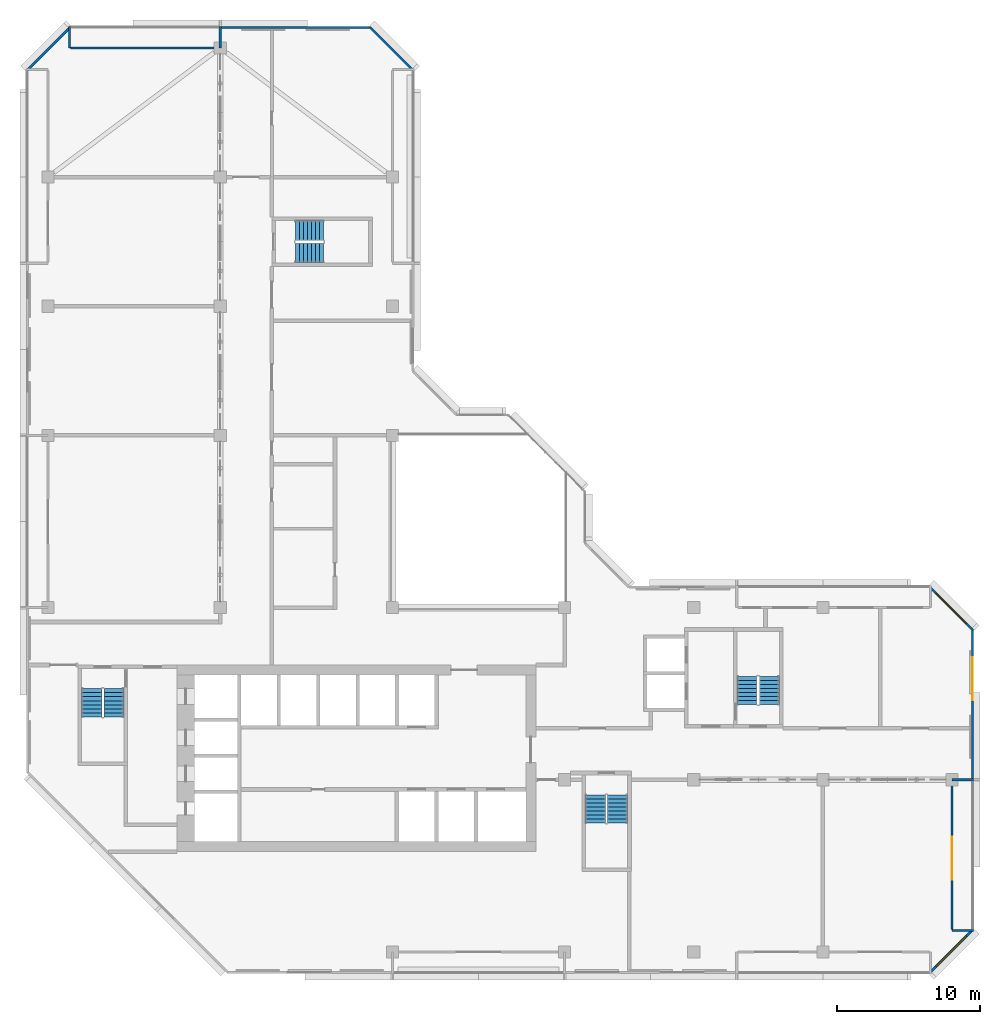
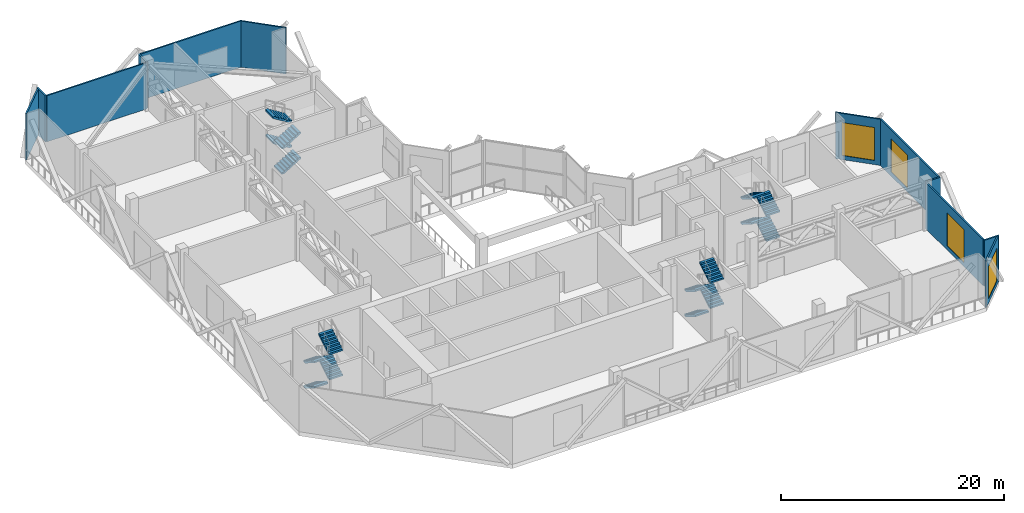
# One storey, part 10 of 14: 16 stair flights, 12 walls, 4 windows, 4 openings, 4 elements without a shape of their own.
"""IFC4 building model written with IfcOpenShell, lengths in metres."""

from ifc_helpers import new_model, si_unit, direction, frame, frame_2d, origin, place, context, subcontext, project, spatial, polyline, rectangle, outline, extrude, material, layer, layer_set, type_object, element, fill, aggregate, save


model = new_model("IFC4")

# Units and contexts
model_context = context("Model", 3, precision=1e-05, world=origin(), true_north=direction((0.0, 1.0)))
body_context = subcontext(model_context, "Body", "Model", "MODEL_VIEW")
ifc_project = project(units=[si_unit("LENGTHUNIT", "METRE"), si_unit("AREAUNIT", "SQUARE_METRE"), si_unit("VOLUMEUNIT", "CUBIC_METRE"), si_unit("PLANEANGLEUNIT", "RADIAN"), si_unit("MASSUNIT", "GRAM", prefix="KILO")], contexts=[model_context])

# Site, building, storey
site_placement = place(None, origin())
site = spatial("IfcSite", under=ifc_project, at=site_placement, CompositionType="ELEMENT")
building_placement = place(site_placement, origin())
building = spatial("IfcBuilding", under=site, at=building_placement, Name="Chenar Terraces", CompositionType="ELEMENT")
storey_placement = place(building_placement, frame((0.0, 0.0, 256.64990234375)))
storey = spatial("IfcBuildingStorey", under=building, at=storey_placement, Name="L61", CompositionType="ELEMENT", Elevation=256.64990234375)

# Wall
ifc_material_1 = material(Name="Aluminium framed glazing", Category="aluminium")
ifc_layer_1 = layer(ifc_material_1, 0.14990234375)
ifc_layer_set_1 = layer_set([ifc_layer_1], Name="Aluminium framed glazing")
wall_type_1 = type_object("IfcWallType", Name="Glazed flush facade wall 150", PredefinedType="SOLIDWALL", material=ifc_layer_set_1)
wall_1_placement = place(storey_placement, frame((22.5, 64.425048828125, 0.0), z_axis=(0.0, 0.0, 1.0), x_axis=(-1.0, 0.0, 0.0)))
element("IfcWall", 1, at=wall_1_placement, inside=storey, type_object=wall_type_1, Name="Glazed flush facade wall", PredefinedType="SOLIDWALL", context=body_context, shape_type="SweptSolid", body=[
    extrude(rectangle(XDim=10.425048828125, YDim=0.14990234375, at=frame_2d((5.21240234375, 0.0))), origin(), (0.0, 0.0, 1.0), 5.050048828125),
])

# Wall, opening, window
wall_2_placement = place(storey_placement, frame((64.425048828125, 12.074951171875, 0.0), z_axis=(0.0, 0.0, 1.0), x_axis=(0.0, 1.0, 0.0)))
wall_2 = element("IfcWall", 2, at=wall_2_placement, inside=storey, type_object=wall_type_1, Name="Glazed flush facade wall", PredefinedType="SOLIDWALL", context=body_context, shape_type="SweptSolid", body=[
    extrude(rectangle(XDim=10.425048828125, YDim=0.14990234375, at=frame_2d((5.21240234375, 0.0))), origin(), (0.0, 0.0, 1.0), 5.050048828125),
])
opening_1_placement = place(wall_2_placement, frame((5.47509765625, 0.0, 0.449951171875)))
opening_1 = element("IfcOpeningElement", 3, at=opening_1_placement, cuts=wall_2, Name="Opening W300x360", PredefinedType="OPENING", context=body_context, shape_type="SweptSolid", body=[
    extrude(rectangle(XDim=3.0, YDim=3.60009765625, at=frame_2d((1.5, 1.800048828125))), frame((0.0, 0.0849609375, 0.0), z_axis=(0.0, -1.0, 0.0), x_axis=(1.0, 0.0, 0.0)), (0.0, 0.0, 1.0), 0.169921875),
])
ifc_material_2 = material(Name="Low emissivity double glazing, aluminium frame", Category="aluminium")
window_type = type_object("IfcWindowType", Name="Fixed light 3000 x 3600", PartitioningType="SINGLE_PANEL", PredefinedType="WINDOW", material=ifc_material_2)
window_1_placement = place(opening_1_placement, origin())
window_1 = element("IfcWindow", 4, at=window_1_placement, inside=storey, type_object=window_type, Name="Window", OverallHeight=3.60009765625, OverallWidth=3.0, PartitioningType="SINGLE_PANEL", PredefinedType="WINDOW", context=body_context, shape_type="SweptSolid", body=[
    extrude(rectangle(XDim=3.0, YDim=3.60009765625, at=frame_2d((1.5, 1.800048828125))), frame((0.0, 0.030029296875, 0.0), z_axis=(0.0, -1.0, 0.0), x_axis=(1.0, 0.0, 0.0)), (0.0, 0.0, 1.0), 0.06005859375),
])
fill(opening_1, window_1)

# Wall
ifc_material_3 = material(Name="Aluminium framed glazing", Category="aluminium")
ifc_layer_2 = layer(ifc_material_3, 0.14990234375)
ifc_layer_set_2 = layer_set([ifc_layer_2], Name="Aluminium framed glazing")
wall_type_2 = type_object("IfcWallType", Name="Glazed loggia back wall 150", PredefinedType="SOLIDWALL", material=ifc_layer_set_2)
wall_3_placement = place(storey_placement, frame((11.925048828125, 63.0, 0.0), z_axis=(0.0, 0.0, 1.0), x_axis=(-1.0, 0.0, 0.0)))
element("IfcWall", 5, at=wall_3_placement, inside=storey, type_object=wall_type_2, Name="Glazed loggia back wall", PredefinedType="SOLIDWALL", context=body_context, shape_type="SweptSolid", body=[
    extrude(rectangle(XDim=10.35009765625, YDim=0.14990234375, at=frame_2d((5.175048828125, 0.0))), origin(), (0.0, 0.0, 1.0), 5.050048828125),
])

# Wall, opening, window
wall_4_placement = place(storey_placement, frame((63.0, 1.574951171875, 0.0), z_axis=(0.0, 0.0, 1.0), x_axis=(0.0, 1.0, 0.0)))
wall_4 = element("IfcWall", 6, at=wall_4_placement, inside=storey, type_object=wall_type_2, Name="Glazed loggia back wall", PredefinedType="SOLIDWALL", context=body_context, shape_type="SweptSolid", body=[
    extrude(rectangle(XDim=10.35009765625, YDim=0.14990234375, at=frame_2d((5.175048828125, 0.0))), origin(), (0.0, 0.0, 1.0), 5.050048828125),
])
opening_2_placement = place(wall_4_placement, frame((3.449951171875, 0.0, 0.449951171875)))
opening_2 = element("IfcOpeningElement", 7, at=opening_2_placement, cuts=wall_4, Name="Opening W300x360", PredefinedType="OPENING", context=body_context, shape_type="SweptSolid", body=[
    extrude(rectangle(XDim=3.0, YDim=3.60009765625, at=frame_2d((1.5, 1.800048828125))), frame((0.0, 0.0849609375, 0.0), z_axis=(0.0, -1.0, 0.0), x_axis=(1.0, 0.0, 0.0)), (0.0, 0.0, 1.0), 0.169921875),
])
window_2_placement = place(opening_2_placement, origin())
window_2 = element("IfcWindow", 8, at=window_2_placement, inside=storey, type_object=window_type, Name="Window", OverallHeight=3.60009765625, OverallWidth=3.0, PartitioningType="SINGLE_PANEL", PredefinedType="WINDOW", context=body_context, shape_type="SweptSolid", body=[
    extrude(rectangle(XDim=3.0, YDim=3.60009765625, at=frame_2d((1.5, 1.800048828125))), frame((0.0, 0.030029296875, 0.0), z_axis=(0.0, -1.0, 0.0), x_axis=(1.0, 0.0, 0.0)), (0.0, 0.0, 1.0), 0.06005859375),
])
fill(opening_2, window_2)

# Walls
ifc_material_4 = material(Name="Terracotta cladding on insulated backing", Category="masonry")
ifc_layer_3 = layer(ifc_material_4, 0.14990234375)
ifc_layer_set_3 = layer_set([ifc_layer_3], Name="Terracotta cladding on insulated backing")
wall_type_3 = type_object("IfcWallType", Name="Loggia return wall 150", PredefinedType="SOLIDWALL", material=ifc_layer_set_3)
for number, where, z_axis, x_axis, name in (
    (9, (12.0, 64.5, 0.0), (0.0, 0.0, 1.0), (0.0, -1.0, 0.0), "Loggia return wall"),
    (10, (1.5, 64.5, 0.0), (0.0, 0.0, 1.0), (0.0, -1.0, 0.0), "Loggia return wall"),
    (11, (64.5, 1.5, 0.0), (0.0, 0.0, 1.0), (-1.0, 0.0, 0.0), "Loggia return wall"),
    (12, (64.5, 12.0, 0.0), (0.0, 0.0, 1.0), (-1.0, 0.0, 0.0), "Loggia return wall"),
):
    element("IfcWall", number, at=place(storey_placement, frame(where, z_axis=z_axis, x_axis=x_axis)), inside=storey, type_object=wall_type_3, Name=name, PredefinedType="SOLIDWALL", context=body_context, shape_type="SweptSolid", body=[
        extrude(rectangle(XDim=1.5, YDim=0.14990234375, at=frame_2d((0.75, 0.0))), origin(), (0.0, 0.0, 1.0), 5.050048828125),
    ])
ifc_material_5 = material(Name="Terracotta cladding on insulated backing", Category="masonry")
ifc_layer_4 = layer(ifc_material_5, 0.14990234375)
ifc_layer_set_4 = layer_set([ifc_layer_4], Name="Terracotta cladding on insulated backing")
wall_type_4 = type_object("IfcWallType", Name="Terracotta rainscreen wall 150", PredefinedType="SOLIDWALL", material=ifc_layer_set_4)
for number, where, z_axis, x_axis, name in (
    (13, (25.447021484375, 61.447021484375, 0.0), (0.0, 0.0, 1.0), (-0.707106781187, 0.707106781187, 0.0), "Terracotta rainscreen wall"),
    (14, (1.552978515625, 64.447021484375, 0.0), (0.0, 0.0, 1.0), (-0.707106781187, -0.707106781187, 0.0), "Terracotta rainscreen wall"),
):
    element("IfcWall", number, at=place(storey_placement, frame(where, z_axis=z_axis, x_axis=x_axis)), inside=storey, type_object=wall_type_4, Name=name, PredefinedType="SOLIDWALL", context=body_context, shape_type="SweptSolid", body=[
        extrude(rectangle(XDim=4.24267578125, YDim=0.14990234375, at=frame_2d((2.121337890625, 0.0))), origin(), (0.0, 0.0, 1.0), 5.050048828125),
    ])

# Wall, opening, window
wall_5_placement = place(storey_placement, frame((61.447021484375, -1.447021484375, 0.0), z_axis=(0.0, 0.0, 1.0), x_axis=(0.707106781187, 0.707106781187, 0.0)))
wall_5 = element("IfcWall", 15, at=wall_5_placement, inside=storey, type_object=wall_type_4, Name="Terracotta rainscreen wall", PredefinedType="SOLIDWALL", context=body_context, shape_type="SweptSolid", body=[
    extrude(rectangle(XDim=4.24267578125, YDim=0.14990234375, at=frame_2d((2.121337890625, 0.0))), origin(), (0.0, 0.0, 1.0), 5.050048828125),
])
opening_3_placement = place(wall_5_placement, frame((0.621337890625, 0.0, 0.449951171875)))
opening_3 = element("IfcOpeningElement", 16, at=opening_3_placement, cuts=wall_5, Name="Opening W300x360", PredefinedType="OPENING", context=body_context, shape_type="SweptSolid", body=[
    extrude(rectangle(XDim=3.0, YDim=3.60009765625, at=frame_2d((1.5, 1.800048828125))), frame((0.0, 0.0849609375, 0.0), z_axis=(0.0, -1.0, 0.0), x_axis=(1.0, 0.0, 0.0)), (0.0, 0.0, 1.0), 0.169921875),
])
window_3_placement = place(opening_3_placement, origin())
window_3 = element("IfcWindow", 17, at=window_3_placement, inside=storey, type_object=window_type, Name="Window", OverallHeight=3.60009765625, OverallWidth=3.0, PartitioningType="SINGLE_PANEL", PredefinedType="WINDOW", context=body_context, shape_type="SweptSolid", body=[
    extrude(rectangle(XDim=3.0, YDim=3.60009765625, at=frame_2d((1.5, 1.800048828125))), frame((0.0, 0.030029296875, 0.0), z_axis=(0.0, -1.0, 0.0), x_axis=(1.0, 0.0, 0.0)), (0.0, 0.0, 1.0), 0.06005859375),
])
fill(opening_3, window_3)

wall_6_placement = place(storey_placement, frame((64.447021484375, 22.447021484375, 0.0), z_axis=(0.0, 0.0, 1.0), x_axis=(-0.707106781187, 0.707106781187, 0.0)))
wall_6 = element("IfcWall", 18, at=wall_6_placement, inside=storey, type_object=wall_type_4, Name="Terracotta rainscreen wall", PredefinedType="SOLIDWALL", context=body_context, shape_type="SweptSolid", body=[
    extrude(rectangle(XDim=4.24267578125, YDim=0.14990234375, at=frame_2d((2.121337890625, 0.0))), origin(), (0.0, 0.0, 1.0), 5.050048828125),
])
opening_4_placement = place(wall_6_placement, frame((0.621337890625, 0.0, 0.449951171875)))
opening_4 = element("IfcOpeningElement", 19, at=opening_4_placement, cuts=wall_6, Name="Opening W300x360", PredefinedType="OPENING", context=body_context, shape_type="SweptSolid", body=[
    extrude(rectangle(XDim=3.0, YDim=3.60009765625, at=frame_2d((1.5, 1.800048828125))), frame((0.0, 0.0849609375, 0.0), z_axis=(0.0, -1.0, 0.0), x_axis=(1.0, 0.0, 0.0)), (0.0, 0.0, 1.0), 0.169921875),
])
window_4_placement = place(opening_4_placement, origin())
window_4 = element("IfcWindow", 20, at=window_4_placement, inside=storey, type_object=window_type, Name="Window", OverallHeight=3.60009765625, OverallWidth=3.0, PartitioningType="SINGLE_PANEL", PredefinedType="WINDOW", context=body_context, shape_type="SweptSolid", body=[
    extrude(rectangle(XDim=3.0, YDim=3.60009765625, at=frame_2d((1.5, 1.800048828125))), frame((0.0, 0.030029296875, 0.0), z_axis=(0.0, -1.0, 0.0), x_axis=(1.0, 0.0, 0.0)), (0.0, 0.0, 1.0), 0.06005859375),
])
fill(opening_4, window_4)

# Stair, stair flights
ifc_material_6 = material(Name="Reinforced concrete C40/50", Category="concrete")
stair_type = type_object("IfcStairType", Name="Core stair 1400 half-turn", PredefinedType="HALF_TURN_STAIR", material=ifc_material_6)
placement = place(storey_placement, origin())
stair_1 = element("IfcStair", 21, at=placement, inside=storey, type_object=stair_type, Name="L61 Stair 1", PredefinedType="HALF_TURN_STAIR")
ifc_material_7 = material(Name="Reinforced concrete C40/50", Category="concrete")
stair_flight_type = type_object("IfcStairFlightType", Name="Core stair flight 1400", PredefinedType="STRAIGHT", material=ifc_material_7)
stair_flight_1_placement = place(storey_placement, frame((3.050048828125, 18.35009765625, 0.0), z_axis=(0.0, 0.0, 1.0), x_axis=(0.0, -1.0, 0.0)))
stair_flight_1 = element("IfcStairFlight", 22, at=stair_flight_1_placement, type_object=stair_flight_type, Name="ST1 flight 1", NumberOfRisers=8, NumberOfTreads=7, PredefinedType="STRAIGHT", RiserHeight=0.171875, TreadLength=0.28, context=body_context, shape_type="SweptSolid", body=[
    extrude(outline(polyline([(-0.0029296875, 0.0), (-0.0029296875, 0.171875), (0.0, 0.171875), (0.280029296875, 0.171875), (0.280029296875, 0.34375), (0.56005859375, 0.34375), (0.56005859375, 0.515625), (0.840087890625, 0.515625), (0.840087890625, 0.6875), (1.1201171875, 0.6875), (1.1201171875, 0.859375), (1.39990234375, 0.859375), (1.39990234375, 1.03125), (1.679931640625, 1.03125), (1.679931640625, 1.203125), (1.9599609375, 1.203125), (1.962890625, 1.203125), (1.962890625, 1.02734375), (1.9599609375, 1.02734375), (0.28662109375, 0.0), (-0.0029296875, 0.0)])), frame((0.0, 0.699951171875, 0.0), z_axis=(0.0, -1.0, 0.0), x_axis=(1.0, 0.0, 0.0)), (0.0, 0.0, 1.0), 1.39990234375),
])
stair_flight_2_placement = place(storey_placement, frame((4.60009765625, 16.389892578125, 1.375), z_axis=(0.0, 0.0, 1.0), x_axis=(0.0, 1.0, 0.0)))
stair_flight_2 = element("IfcStairFlight", 23, at=stair_flight_2_placement, type_object=stair_flight_type, Name="ST1 flight 2", NumberOfRisers=8, NumberOfTreads=7, PredefinedType="STRAIGHT", RiserHeight=0.171875, TreadLength=0.28, context=body_context, shape_type="SweptSolid", body=[
    extrude(outline(polyline([(-0.0029296875, 0.0), (-0.0029296875, 0.171875), (0.0, 0.171875), (0.280029296875, 0.171875), (0.280029296875, 0.34375), (0.56005859375, 0.34375), (0.56005859375, 0.515625), (0.840087890625, 0.515625), (0.840087890625, 0.6875), (1.1201171875, 0.6875), (1.1201171875, 0.859375), (1.39990234375, 0.859375), (1.39990234375, 1.03125), (1.679931640625, 1.03125), (1.679931640625, 1.203125), (1.9599609375, 1.203125), (1.962890625, 1.203125), (1.962890625, 1.02734375), (1.9599609375, 1.02734375), (0.28662109375, 0.0), (-0.0029296875, 0.0)])), frame((0.0, 0.699951171875, 0.0), z_axis=(0.0, -1.0, 0.0), x_axis=(1.0, 0.0, 0.0)), (0.0, 0.0, 1.0), 1.39990234375),
])
stair_flight_3_placement = place(storey_placement, frame((3.050048828125, 18.35009765625, 2.75), z_axis=(0.0, 0.0, 1.0), x_axis=(0.0, -1.0, 0.0)))
stair_flight_3 = element("IfcStairFlight", 24, at=stair_flight_3_placement, type_object=stair_flight_type, Name="ST1 flight 3", NumberOfRisers=8, NumberOfTreads=7, PredefinedType="STRAIGHT", RiserHeight=0.171875, TreadLength=0.28, context=body_context, shape_type="SweptSolid", body=[
    extrude(outline(polyline([(-0.0029296875, 0.0), (-0.0029296875, 0.171875), (0.0, 0.171875), (0.280029296875, 0.171875), (0.280029296875, 0.34375), (0.56005859375, 0.34375), (0.56005859375, 0.515625), (0.840087890625, 0.515625), (0.840087890625, 0.6875), (1.1201171875, 0.6875), (1.1201171875, 0.859375), (1.39990234375, 0.859375), (1.39990234375, 1.03125), (1.679931640625, 1.03125), (1.679931640625, 1.203125), (1.9599609375, 1.203125), (1.962890625, 1.203125), (1.962890625, 1.02734375), (1.9599609375, 1.02734375), (0.28662109375, 0.0), (-0.0029296875, 0.0)])), frame((0.0, 0.699951171875, 0.0), z_axis=(0.0, -1.0, 0.0), x_axis=(1.0, 0.0, 0.0)), (0.0, 0.0, 1.0), 1.39990234375),
])
stair_flight_4_placement = place(storey_placement, frame((4.60009765625, 16.389892578125, 4.125), z_axis=(0.0, 0.0, 1.0), x_axis=(0.0, 1.0, 0.0)))
stair_flight_4 = element("IfcStairFlight", 25, at=stair_flight_4_placement, type_object=stair_flight_type, Name="ST1 flight 4", NumberOfRisers=8, NumberOfTreads=7, PredefinedType="STRAIGHT", RiserHeight=0.171875, TreadLength=0.28, context=body_context, shape_type="SweptSolid", body=[
    extrude(outline(polyline([(-0.0029296875, 0.0), (-0.0029296875, 0.171875), (0.0, 0.171875), (0.280029296875, 0.171875), (0.280029296875, 0.34375), (0.56005859375, 0.34375), (0.56005859375, 0.515625), (0.840087890625, 0.515625), (0.840087890625, 0.6875), (1.1201171875, 0.6875), (1.1201171875, 0.859375), (1.39990234375, 0.859375), (1.39990234375, 1.03125), (1.679931640625, 1.03125), (1.679931640625, 1.203125), (1.9599609375, 1.203125), (1.962890625, 1.203125), (1.962890625, 1.02734375), (1.9599609375, 1.02734375), (0.28662109375, 0.0), (-0.0029296875, 0.0)])), frame((0.0, 0.699951171875, 0.0), z_axis=(0.0, -1.0, 0.0), x_axis=(1.0, 0.0, 0.0)), (0.0, 0.0, 1.0), 1.39990234375),
])
aggregate(stair_1, [stair_flight_1, stair_flight_2, stair_flight_3, stair_flight_4])

stair_2 = element("IfcStair", 26, at=placement, inside=storey, type_object=stair_type, Name="L61 Stair 2", PredefinedType="HALF_TURN_STAIR")
stair_flight_5_placement = place(storey_placement, frame((38.14990234375, 10.949951171875, 0.0), z_axis=(0.0, 0.0, 1.0), x_axis=(0.0, -1.0, 0.0)))
stair_flight_5 = element("IfcStairFlight", 27, at=stair_flight_5_placement, type_object=stair_flight_type, Name="ST2 flight 1", NumberOfRisers=8, NumberOfTreads=7, PredefinedType="STRAIGHT", RiserHeight=0.171875, TreadLength=0.28, context=body_context, shape_type="SweptSolid", body=[
    extrude(outline(polyline([(-0.0029296875, 0.0), (-0.0029296875, 0.171875), (0.0, 0.171875), (0.280029296875, 0.171875), (0.280029296875, 0.34375), (0.56005859375, 0.34375), (0.56005859375, 0.515625), (0.840087890625, 0.515625), (0.840087890625, 0.6875), (1.1201171875, 0.6875), (1.1201171875, 0.859375), (1.39990234375, 0.859375), (1.39990234375, 1.03125), (1.679931640625, 1.03125), (1.679931640625, 1.203125), (1.9599609375, 1.203125), (1.962890625, 1.203125), (1.962890625, 1.02734375), (1.9599609375, 1.02734375), (0.28662109375, 0.0), (-0.0029296875, 0.0)])), frame((0.0, 0.699951171875, 0.0), z_axis=(0.0, -1.0, 0.0), x_axis=(1.0, 0.0, 0.0)), (0.0, 0.0, 1.0), 1.39990234375),
])
stair_flight_6_placement = place(storey_placement, frame((39.699951171875, 8.989990234375, 1.375), z_axis=(0.0, 0.0, 1.0), x_axis=(0.0, 1.0, 0.0)))
stair_flight_6 = element("IfcStairFlight", 28, at=stair_flight_6_placement, type_object=stair_flight_type, Name="ST2 flight 2", NumberOfRisers=8, NumberOfTreads=7, PredefinedType="STRAIGHT", RiserHeight=0.171875, TreadLength=0.28, context=body_context, shape_type="SweptSolid", body=[
    extrude(outline(polyline([(-0.0029296875, 0.0), (-0.0029296875, 0.171875), (0.0, 0.171875), (0.280029296875, 0.171875), (0.280029296875, 0.34375), (0.56005859375, 0.34375), (0.56005859375, 0.515625), (0.840087890625, 0.515625), (0.840087890625, 0.6875), (1.1201171875, 0.6875), (1.1201171875, 0.859375), (1.39990234375, 0.859375), (1.39990234375, 1.03125), (1.679931640625, 1.03125), (1.679931640625, 1.203125), (1.9599609375, 1.203125), (1.962890625, 1.203125), (1.962890625, 1.02734375), (1.9599609375, 1.02734375), (0.28662109375, 0.0), (-0.0029296875, 0.0)])), frame((0.0, 0.699951171875, 0.0), z_axis=(0.0, -1.0, 0.0), x_axis=(1.0, 0.0, 0.0)), (0.0, 0.0, 1.0), 1.39990234375),
])
stair_flight_7_placement = place(storey_placement, frame((38.14990234375, 10.949951171875, 2.75), z_axis=(0.0, 0.0, 1.0), x_axis=(0.0, -1.0, 0.0)))
stair_flight_7 = element("IfcStairFlight", 29, at=stair_flight_7_placement, type_object=stair_flight_type, Name="ST2 flight 3", NumberOfRisers=8, NumberOfTreads=7, PredefinedType="STRAIGHT", RiserHeight=0.171875, TreadLength=0.28, context=body_context, shape_type="SweptSolid", body=[
    extrude(outline(polyline([(-0.0029296875, 0.0), (-0.0029296875, 0.171875), (0.0, 0.171875), (0.280029296875, 0.171875), (0.280029296875, 0.34375), (0.56005859375, 0.34375), (0.56005859375, 0.515625), (0.840087890625, 0.515625), (0.840087890625, 0.6875), (1.1201171875, 0.6875), (1.1201171875, 0.859375), (1.39990234375, 0.859375), (1.39990234375, 1.03125), (1.679931640625, 1.03125), (1.679931640625, 1.203125), (1.9599609375, 1.203125), (1.962890625, 1.203125), (1.962890625, 1.02734375), (1.9599609375, 1.02734375), (0.28662109375, 0.0), (-0.0029296875, 0.0)])), frame((0.0, 0.699951171875, 0.0), z_axis=(0.0, -1.0, 0.0), x_axis=(1.0, 0.0, 0.0)), (0.0, 0.0, 1.0), 1.39990234375),
])
stair_flight_8_placement = place(storey_placement, frame((39.699951171875, 8.989990234375, 4.125), z_axis=(0.0, 0.0, 1.0), x_axis=(0.0, 1.0, 0.0)))
stair_flight_8 = element("IfcStairFlight", 30, at=stair_flight_8_placement, type_object=stair_flight_type, Name="ST2 flight 4", NumberOfRisers=8, NumberOfTreads=7, PredefinedType="STRAIGHT", RiserHeight=0.171875, TreadLength=0.28, context=body_context, shape_type="SweptSolid", body=[
    extrude(outline(polyline([(-0.0029296875, 0.0), (-0.0029296875, 0.171875), (0.0, 0.171875), (0.280029296875, 0.171875), (0.280029296875, 0.34375), (0.56005859375, 0.34375), (0.56005859375, 0.515625), (0.840087890625, 0.515625), (0.840087890625, 0.6875), (1.1201171875, 0.6875), (1.1201171875, 0.859375), (1.39990234375, 0.859375), (1.39990234375, 1.03125), (1.679931640625, 1.03125), (1.679931640625, 1.203125), (1.9599609375, 1.203125), (1.962890625, 1.203125), (1.962890625, 1.02734375), (1.9599609375, 1.02734375), (0.28662109375, 0.0), (-0.0029296875, 0.0)])), frame((0.0, 0.699951171875, 0.0), z_axis=(0.0, -1.0, 0.0), x_axis=(1.0, 0.0, 0.0)), (0.0, 0.0, 1.0), 1.39990234375),
])
aggregate(stair_2, [stair_flight_5, stair_flight_6, stair_flight_7, stair_flight_8])

stair_3 = element("IfcStair", 31, at=placement, inside=storey, type_object=stair_type, Name="L61 Stair 3", PredefinedType="HALF_TURN_STAIR")
stair_flight_9_placement = place(storey_placement, frame((50.27490234375, 17.25, 0.0), z_axis=(0.0, 0.0, 1.0), x_axis=(0.0, 1.0, 0.0)))
stair_flight_9 = element("IfcStairFlight", 32, at=stair_flight_9_placement, type_object=stair_flight_type, Name="ST3 flight 1", NumberOfRisers=8, NumberOfTreads=7, PredefinedType="STRAIGHT", RiserHeight=0.171875, TreadLength=0.28, context=body_context, shape_type="SweptSolid", body=[
    extrude(outline(polyline([(-0.0029296875, 0.0), (-0.0029296875, 0.171875), (0.0, 0.171875), (0.280029296875, 0.171875), (0.280029296875, 0.34375), (0.56005859375, 0.34375), (0.56005859375, 0.515625), (0.840087890625, 0.515625), (0.840087890625, 0.6875), (1.1201171875, 0.6875), (1.1201171875, 0.859375), (1.39990234375, 0.859375), (1.39990234375, 1.03125), (1.679931640625, 1.03125), (1.679931640625, 1.203125), (1.9599609375, 1.203125), (1.962890625, 1.203125), (1.962890625, 1.02734375), (1.9599609375, 1.02734375), (0.28662109375, 0.0), (-0.0029296875, 0.0)])), frame((0.0, 0.699951171875, 0.0), z_axis=(0.0, -1.0, 0.0), x_axis=(1.0, 0.0, 0.0)), (0.0, 0.0, 1.0), 1.39990234375),
])
stair_flight_10_placement = place(storey_placement, frame((48.72509765625, 19.2099609375, 1.375), z_axis=(0.0, 0.0, 1.0), x_axis=(0.0, -1.0, 0.0)))
stair_flight_10 = element("IfcStairFlight", 33, at=stair_flight_10_placement, type_object=stair_flight_type, Name="ST3 flight 2", NumberOfRisers=8, NumberOfTreads=7, PredefinedType="STRAIGHT", RiserHeight=0.171875, TreadLength=0.28, context=body_context, shape_type="SweptSolid", body=[
    extrude(outline(polyline([(-0.0029296875, 0.0), (-0.0029296875, 0.171875), (0.0, 0.171875), (0.280029296875, 0.171875), (0.280029296875, 0.34375), (0.56005859375, 0.34375), (0.56005859375, 0.515625), (0.840087890625, 0.515625), (0.840087890625, 0.6875), (1.1201171875, 0.6875), (1.1201171875, 0.859375), (1.39990234375, 0.859375), (1.39990234375, 1.03125), (1.679931640625, 1.03125), (1.679931640625, 1.203125), (1.9599609375, 1.203125), (1.962890625, 1.203125), (1.962890625, 1.02734375), (1.9599609375, 1.02734375), (0.28662109375, 0.0), (-0.0029296875, 0.0)])), frame((0.0, 0.699951171875, 0.0), z_axis=(0.0, -1.0, 0.0), x_axis=(1.0, 0.0, 0.0)), (0.0, 0.0, 1.0), 1.39990234375),
])
stair_flight_11_placement = place(storey_placement, frame((50.27490234375, 17.25, 2.75), z_axis=(0.0, 0.0, 1.0), x_axis=(0.0, 1.0, 0.0)))
stair_flight_11 = element("IfcStairFlight", 34, at=stair_flight_11_placement, type_object=stair_flight_type, Name="ST3 flight 3", NumberOfRisers=8, NumberOfTreads=7, PredefinedType="STRAIGHT", RiserHeight=0.171875, TreadLength=0.28, context=body_context, shape_type="SweptSolid", body=[
    extrude(outline(polyline([(-0.0029296875, 0.0), (-0.0029296875, 0.171875), (0.0, 0.171875), (0.280029296875, 0.171875), (0.280029296875, 0.34375), (0.56005859375, 0.34375), (0.56005859375, 0.515625), (0.840087890625, 0.515625), (0.840087890625, 0.6875), (1.1201171875, 0.6875), (1.1201171875, 0.859375), (1.39990234375, 0.859375), (1.39990234375, 1.03125), (1.679931640625, 1.03125), (1.679931640625, 1.203125), (1.9599609375, 1.203125), (1.962890625, 1.203125), (1.962890625, 1.02734375), (1.9599609375, 1.02734375), (0.28662109375, 0.0), (-0.0029296875, 0.0)])), frame((0.0, 0.699951171875, 0.0), z_axis=(0.0, -1.0, 0.0), x_axis=(1.0, 0.0, 0.0)), (0.0, 0.0, 1.0), 1.39990234375),
])
stair_flight_12_placement = place(storey_placement, frame((48.72509765625, 19.2099609375, 4.125), z_axis=(0.0, 0.0, 1.0), x_axis=(0.0, -1.0, 0.0)))
stair_flight_12 = element("IfcStairFlight", 35, at=stair_flight_12_placement, type_object=stair_flight_type, Name="ST3 flight 4", NumberOfRisers=8, NumberOfTreads=7, PredefinedType="STRAIGHT", RiserHeight=0.171875, TreadLength=0.28, context=body_context, shape_type="SweptSolid", body=[
    extrude(outline(polyline([(-0.0029296875, 0.0), (-0.0029296875, 0.171875), (0.0, 0.171875), (0.280029296875, 0.171875), (0.280029296875, 0.34375), (0.56005859375, 0.34375), (0.56005859375, 0.515625), (0.840087890625, 0.515625), (0.840087890625, 0.6875), (1.1201171875, 0.6875), (1.1201171875, 0.859375), (1.39990234375, 0.859375), (1.39990234375, 1.03125), (1.679931640625, 1.03125), (1.679931640625, 1.203125), (1.9599609375, 1.203125), (1.962890625, 1.203125), (1.962890625, 1.02734375), (1.9599609375, 1.02734375), (0.28662109375, 0.0), (-0.0029296875, 0.0)])), frame((0.0, 0.699951171875, 0.0), z_axis=(0.0, -1.0, 0.0), x_axis=(1.0, 0.0, 0.0)), (0.0, 0.0, 1.0), 1.39990234375),
])
aggregate(stair_3, [stair_flight_9, stair_flight_10, stair_flight_11, stair_flight_12])

stair_4 = element("IfcStair", 36, at=placement, inside=storey, type_object=stair_type, Name="L61 Stair 4", PredefinedType="HALF_TURN_STAIR")
stair_flight_13_placement = place(storey_placement, frame((17.25, 48.72509765625, 0.0), z_axis=(0.0, 0.0, 1.0), x_axis=(1.0, 0.0, 0.0)))
stair_flight_13 = element("IfcStairFlight", 37, at=stair_flight_13_placement, type_object=stair_flight_type, Name="ST4 flight 1", NumberOfRisers=8, NumberOfTreads=7, PredefinedType="STRAIGHT", RiserHeight=0.171875, TreadLength=0.28, context=body_context, shape_type="SweptSolid", body=[
    extrude(outline(polyline([(-0.0029296875, 0.0), (-0.0029296875, 0.171875), (0.0, 0.171875), (0.280029296875, 0.171875), (0.280029296875, 0.34375), (0.56005859375, 0.34375), (0.56005859375, 0.515625), (0.840087890625, 0.515625), (0.840087890625, 0.6875), (1.1201171875, 0.6875), (1.1201171875, 0.859375), (1.39990234375, 0.859375), (1.39990234375, 1.03125), (1.679931640625, 1.03125), (1.679931640625, 1.203125), (1.9599609375, 1.203125), (1.962890625, 1.203125), (1.962890625, 1.02734375), (1.9599609375, 1.02734375), (0.28662109375, 0.0), (-0.0029296875, 0.0)])), frame((0.0, 0.699951171875, 0.0), z_axis=(0.0, -1.0, 0.0), x_axis=(1.0, 0.0, 0.0)), (0.0, 0.0, 1.0), 1.39990234375),
])
stair_flight_14_placement = place(storey_placement, frame((19.2099609375, 50.27490234375, 1.375), z_axis=(0.0, 0.0, 1.0), x_axis=(-1.0, 0.0, 0.0)))
stair_flight_14 = element("IfcStairFlight", 38, at=stair_flight_14_placement, type_object=stair_flight_type, Name="ST4 flight 2", NumberOfRisers=8, NumberOfTreads=7, PredefinedType="STRAIGHT", RiserHeight=0.171875, TreadLength=0.28, context=body_context, shape_type="SweptSolid", body=[
    extrude(outline(polyline([(-0.0029296875, 0.0), (-0.0029296875, 0.171875), (0.0, 0.171875), (0.280029296875, 0.171875), (0.280029296875, 0.34375), (0.56005859375, 0.34375), (0.56005859375, 0.515625), (0.840087890625, 0.515625), (0.840087890625, 0.6875), (1.1201171875, 0.6875), (1.1201171875, 0.859375), (1.39990234375, 0.859375), (1.39990234375, 1.03125), (1.679931640625, 1.03125), (1.679931640625, 1.203125), (1.9599609375, 1.203125), (1.962890625, 1.203125), (1.962890625, 1.02734375), (1.9599609375, 1.02734375), (0.28662109375, 0.0), (-0.0029296875, 0.0)])), frame((0.0, 0.699951171875, 0.0), z_axis=(0.0, -1.0, 0.0), x_axis=(1.0, 0.0, 0.0)), (0.0, 0.0, 1.0), 1.39990234375),
])
stair_flight_15_placement = place(storey_placement, frame((17.25, 48.72509765625, 2.75), z_axis=(0.0, 0.0, 1.0), x_axis=(1.0, 0.0, 0.0)))
stair_flight_15 = element("IfcStairFlight", 39, at=stair_flight_15_placement, type_object=stair_flight_type, Name="ST4 flight 3", NumberOfRisers=8, NumberOfTreads=7, PredefinedType="STRAIGHT", RiserHeight=0.171875, TreadLength=0.28, context=body_context, shape_type="SweptSolid", body=[
    extrude(outline(polyline([(-0.0029296875, 0.0), (-0.0029296875, 0.171875), (0.0, 0.171875), (0.280029296875, 0.171875), (0.280029296875, 0.34375), (0.56005859375, 0.34375), (0.56005859375, 0.515625), (0.840087890625, 0.515625), (0.840087890625, 0.6875), (1.1201171875, 0.6875), (1.1201171875, 0.859375), (1.39990234375, 0.859375), (1.39990234375, 1.03125), (1.679931640625, 1.03125), (1.679931640625, 1.203125), (1.9599609375, 1.203125), (1.962890625, 1.203125), (1.962890625, 1.02734375), (1.9599609375, 1.02734375), (0.28662109375, 0.0), (-0.0029296875, 0.0)])), frame((0.0, 0.699951171875, 0.0), z_axis=(0.0, -1.0, 0.0), x_axis=(1.0, 0.0, 0.0)), (0.0, 0.0, 1.0), 1.39990234375),
])
stair_flight_16_placement = place(storey_placement, frame((19.2099609375, 50.27490234375, 4.125), z_axis=(0.0, 0.0, 1.0), x_axis=(-1.0, 0.0, 0.0)))
stair_flight_16 = element("IfcStairFlight", 40, at=stair_flight_16_placement, type_object=stair_flight_type, Name="ST4 flight 4", NumberOfRisers=8, NumberOfTreads=7, PredefinedType="STRAIGHT", RiserHeight=0.171875, TreadLength=0.28, context=body_context, shape_type="SweptSolid", body=[
    extrude(outline(polyline([(-0.0029296875, 0.0), (-0.0029296875, 0.171875), (0.0, 0.171875), (0.280029296875, 0.171875), (0.280029296875, 0.34375), (0.56005859375, 0.34375), (0.56005859375, 0.515625), (0.840087890625, 0.515625), (0.840087890625, 0.6875), (1.1201171875, 0.6875), (1.1201171875, 0.859375), (1.39990234375, 0.859375), (1.39990234375, 1.03125), (1.679931640625, 1.03125), (1.679931640625, 1.203125), (1.9599609375, 1.203125), (1.962890625, 1.203125), (1.962890625, 1.02734375), (1.9599609375, 1.02734375), (0.28662109375, 0.0), (-0.0029296875, 0.0)])), frame((0.0, 0.699951171875, 0.0), z_axis=(0.0, -1.0, 0.0), x_axis=(1.0, 0.0, 0.0)), (0.0, 0.0, 1.0), 1.39990234375),
])
aggregate(stair_4, [stair_flight_13, stair_flight_14, stair_flight_15, stair_flight_16])

save(model, "model.ifc")
